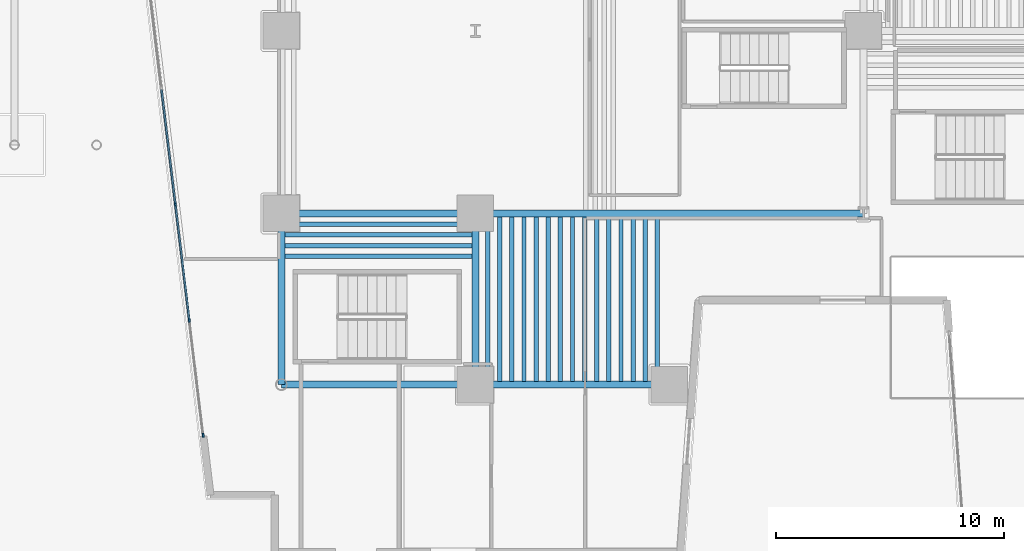
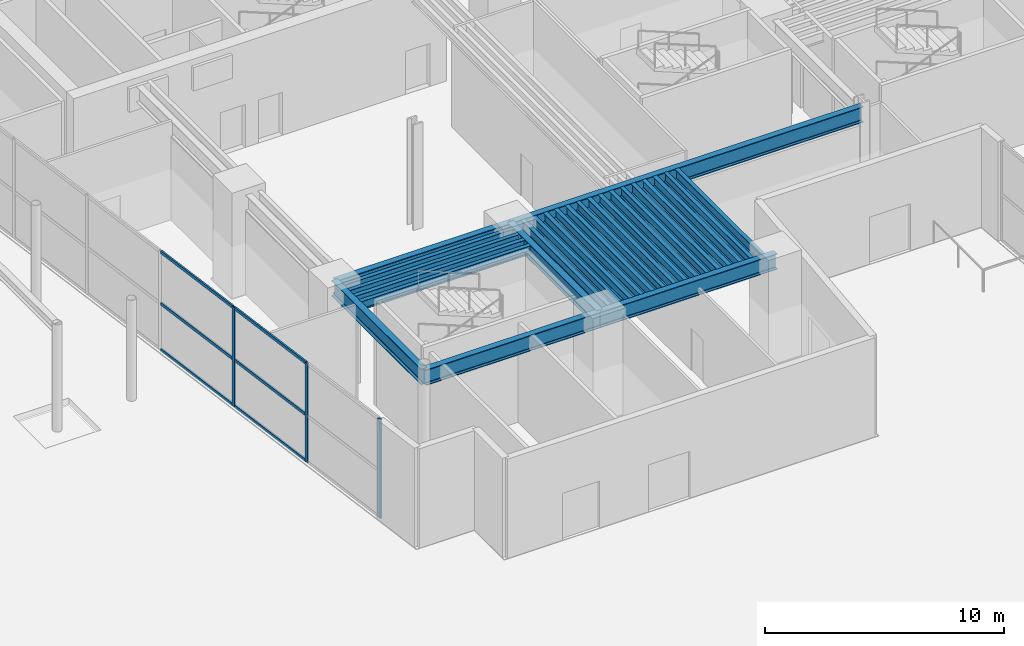
# One storey, part 3 of 18: 25 beams, 9 members, 1 element without a shape of its own.
"""IFC4 building model written with IfcOpenShell, lengths in metres."""

from ifc_helpers import new_model, si_unit, direction, frame, origin, origin_2d, place, context, subcontext, project, spatial, rectangle, i_section, extrude, material, layer, layer_set, material_profile, profile_set, type_object, element, aggregate, save


model = new_model("IFC4")

# Units and contexts
model_context = context("Model", 3, precision=1e-05, world=origin(), true_north=direction((0.0, 1.0)))
body_context = subcontext(model_context, "Body", "Model", "MODEL_VIEW")
ifc_project = project(units=[si_unit("LENGTHUNIT", "METRE"), si_unit("AREAUNIT", "SQUARE_METRE"), si_unit("VOLUMEUNIT", "CUBIC_METRE"), si_unit("PLANEANGLEUNIT", "RADIAN"), si_unit("MASSUNIT", "GRAM", prefix="KILO")], contexts=[model_context])

# Site, building, storey
site_placement = place(None, origin())
site = spatial("IfcSite", under=ifc_project, at=site_placement, CompositionType="ELEMENT")
building_placement = place(site_placement, origin())
building = spatial("IfcBuilding", under=site, at=building_placement, Name="Caeloran Harvest Quay", CompositionType="ELEMENT")
storey_placement = place(building_placement, origin())
storey = spatial("IfcBuildingStorey", under=building, at=storey_placement, Name="L01", CompositionType="ELEMENT", Elevation=0.0)

# Beams
ifc_material_1 = material(Name="Steel S355J2", Category="steel")
ifc_material_profile_1 = material_profile(ifc_material_1, i_section(OverallWidth=0.300048828125, OverallDepth=0.800048828125, WebThickness=0.017578125, FlangeThickness=0.032958984375, FilletRadius=0.030029296875, at=origin_2d()), Name="HE 800 B")
ifc_profile_set_1 = profile_set([ifc_material_profile_1], Name="Steel S355J2")
beam_type_1 = type_object("IfcBeamType", Name="BM-PG-1-HE_800_B", PredefinedType="BEAM", material=ifc_profile_set_1)
for number, where, z_axis, x_axis, name in (
    (1, (8.5, 7.5, 4.679931640625), (1.0, 0.0, 0.0), (0.0, 1.0, 0.0), "L01 Primary East-West Girder Y=7.5"),
    (2, (17.0, 7.5, 4.679931640625), (1.0, 0.0, 0.0), (0.0, 1.0, 0.0), "L01 Primary East-West Girder Y=7.5"),
    (3, (8.5, 15.0, 4.679931640625), (1.0, 0.0, 0.0), (0.0, 1.0, 0.0), "L01 Primary East-West Girder Y=15.0"),
):
    element("IfcBeam", number, at=place(storey_placement, frame(where, z_axis=z_axis, x_axis=x_axis)), inside=storey, type_object=beam_type_1, Name=name, PredefinedType="BEAM", context=body_context, shape_type="SweptSolid", body=[
        extrude(i_section(OverallWidth=0.300048828125, OverallDepth=0.800048828125, WebThickness=0.017578125, FlangeThickness=0.032958984375, FilletRadius=0.030029296875, at=origin_2d()), origin(), (0.0, 0.0, 1.0), 8.5),
    ])
beam_placement = place(storey_placement, frame((17.0, 15.0, 4.679931640625), z_axis=(1.0, 0.0, 0.0), x_axis=(0.0, 1.0, 0.0)))
element("IfcBeam", 4, at=beam_placement, inside=storey, type_object=beam_type_1, Name="L01 Primary East-West Girder Y=15.0", PredefinedType="BEAM", context=body_context, shape_type="SweptSolid", body=[
    extrude(i_section(OverallWidth=0.300048828125, OverallDepth=0.800048828125, WebThickness=0.017578125, FlangeThickness=0.032958984375, FilletRadius=0.030029296875, at=origin_2d()), origin(), (0.0, 0.0, 1.0), 17.0),
])
for number, where, z_axis, x_axis, name in (
    (5, (8.5, 7.5, 4.679931640625), (0.0, 1.0, 0.0), (-1.0, 0.0, 0.0), "L01 Primary North-South Girder X=8.5"),
    (6, (17.0, 7.5, 4.679931640625), (0.0, 1.0, 0.0), (-1.0, 0.0, 0.0), "L01 Primary North-South Girder X=17.0"),
):
    element("IfcBeam", number, at=place(storey_placement, frame(where, z_axis=z_axis, x_axis=x_axis)), inside=storey, type_object=beam_type_1, Name=name, PredefinedType="BEAM", context=body_context, shape_type="SweptSolid", body=[
        extrude(i_section(OverallWidth=0.300048828125, OverallDepth=0.800048828125, WebThickness=0.017578125, FlangeThickness=0.032958984375, FilletRadius=0.030029296875, at=origin_2d()), origin(), (0.0, 0.0, 1.0), 7.5),
    ])
ifc_material_profile_2 = material_profile(ifc_material_1, i_section(OverallWidth=0.199951171875, OverallDepth=0.5, WebThickness=0.01025390625, FlangeThickness=0.01611328125, FilletRadius=0.02099609375, at=origin_2d()), Name="IPE 500")
ifc_profile_set_2 = profile_set([ifc_material_profile_2], Name="Steel S355J2")
beam_type_2 = type_object("IfcBeamType", Name="BM-SB-2-IPE_500", PredefinedType="JOIST", material=ifc_profile_set_2)
for number, where, z_axis, x_axis, name in (
    (7, (17.53125, 7.64501953125, 4.830078125), (0.0, 1.0, 0.0), (-1.0, 0.0, 0.0), "L01 Secondary Composite Joist"),
    (8, (18.59375, 7.64501953125, 4.830078125), (0.0, 1.0, 0.0), (-1.0, 0.0, 0.0), "L01 Secondary Composite Joist"),
    (9, (19.65625, 7.64501953125, 4.830078125), (0.0, 1.0, 0.0), (-1.0, 0.0, 0.0), "L01 Secondary Composite Joist"),
    (10, (20.71875, 7.64501953125, 4.830078125), (0.0, 1.0, 0.0), (-1.0, 0.0, 0.0), "L01 Secondary Composite Joist"),
    (11, (21.78125, 7.64501953125, 4.830078125), (0.0, 1.0, 0.0), (-1.0, 0.0, 0.0), "L01 Secondary Composite Joist"),
    (12, (22.84375, 7.64501953125, 4.830078125), (0.0, 1.0, 0.0), (-1.0, 0.0, 0.0), "L01 Secondary Composite Joist"),
    (13, (23.90625, 7.64501953125, 4.830078125), (0.0, 1.0, 0.0), (-1.0, 0.0, 0.0), "L01 Secondary Composite Joist"),
    (14, (24.96875, 7.64501953125, 4.830078125), (0.0, 1.0, 0.0), (-1.0, 0.0, 0.0), "L01 Secondary Composite Joist"),
):
    element("IfcBeam", number, at=place(storey_placement, frame(where, z_axis=z_axis, x_axis=x_axis)), inside=storey, type_object=beam_type_2, Name=name, PredefinedType="JOIST", context=body_context, shape_type="SweptSolid", body=[
        extrude(i_section(OverallWidth=0.199951171875, OverallDepth=0.5, WebThickness=0.01025390625, FlangeThickness=0.01611328125, FilletRadius=0.02099609375, at=origin_2d()), origin(), (0.0, 0.0, 1.0), 7.2099609375),
    ])
for number, where, z_axis, x_axis, name in (
    (15, (8.64501953125, 13.59375, 4.830078125), (1.0, 0.0, 0.0), (0.0, 1.0, 0.0), "L01 Secondary East-West Composite Joist"),
    (16, (8.64501953125, 14.53125, 4.830078125), (1.0, 0.0, 0.0), (0.0, 1.0, 0.0), "L01 Secondary East-West Composite Joist"),
):
    element("IfcBeam", number, at=place(storey_placement, frame(where, z_axis=z_axis, x_axis=x_axis)), inside=storey, type_object=beam_type_2, Name=name, PredefinedType="JOIST", context=body_context, shape_type="SweptSolid", body=[
        extrude(i_section(OverallWidth=0.199951171875, OverallDepth=0.5, WebThickness=0.01025390625, FlangeThickness=0.01611328125, FilletRadius=0.02099609375, at=origin_2d()), origin(), (0.0, 0.0, 1.0), 8.2099609375),
    ])
ifc_material_profile_3 = material_profile(ifc_material_1, i_section(OverallWidth=0.18994140625, OverallDepth=0.449951171875, WebThickness=0.009521484375, FlangeThickness=0.0146484375, FilletRadius=0.02099609375, at=origin_2d()), Name="IPE 450")
ifc_profile_set_3 = profile_set([ifc_material_profile_3], Name="Steel S355J2")
beam_type_3 = type_object("IfcBeamType", Name="BM-SB-3-IPE_450", PredefinedType="JOIST", material=ifc_profile_set_3)
for number, where, z_axis, x_axis, name in (
    (17, (18.0625, 7.64501953125, 4.85498046875), (0.0, 1.0, 0.0), (-1.0, 0.0, 0.0), "L01 Secondary Composite Joist"),
    (18, (19.125, 7.64501953125, 4.85498046875), (0.0, 1.0, 0.0), (-1.0, 0.0, 0.0), "L01 Secondary Composite Joist"),
    (19, (20.1875, 7.64501953125, 4.85498046875), (0.0, 1.0, 0.0), (-1.0, 0.0, 0.0), "L01 Secondary Composite Joist"),
    (20, (21.25, 7.64501953125, 4.85498046875), (0.0, 1.0, 0.0), (-1.0, 0.0, 0.0), "L01 Secondary Composite Joist"),
    (21, (22.3125, 7.64501953125, 4.85498046875), (0.0, 1.0, 0.0), (-1.0, 0.0, 0.0), "L01 Secondary Composite Joist"),
    (22, (23.375, 7.64501953125, 4.85498046875), (0.0, 1.0, 0.0), (-1.0, 0.0, 0.0), "L01 Secondary Composite Joist"),
    (23, (24.4375, 7.64501953125, 4.85498046875), (0.0, 1.0, 0.0), (-1.0, 0.0, 0.0), "L01 Secondary Composite Joist"),
):
    element("IfcBeam", number, at=place(storey_placement, frame(where, z_axis=z_axis, x_axis=x_axis)), inside=storey, type_object=beam_type_3, Name=name, PredefinedType="JOIST", context=body_context, shape_type="SweptSolid", body=[
        extrude(i_section(OverallWidth=0.18994140625, OverallDepth=0.449951171875, WebThickness=0.009521484375, FlangeThickness=0.0146484375, FilletRadius=0.02099609375, at=origin_2d()), origin(), (0.0, 0.0, 1.0), 7.2099609375),
    ])
for number, where, z_axis, x_axis, name in (
    (24, (8.64501953125, 13.125, 4.85498046875), (1.0, 0.0, 0.0), (0.0, 1.0, 0.0), "L01 Secondary East-West Composite Joist"),
    (25, (8.64501953125, 14.0625, 4.85498046875), (1.0, 0.0, 0.0), (0.0, 1.0, 0.0), "L01 Secondary East-West Composite Joist"),
):
    element("IfcBeam", number, at=place(storey_placement, frame(where, z_axis=z_axis, x_axis=x_axis)), inside=storey, type_object=beam_type_3, Name=name, PredefinedType="JOIST", context=body_context, shape_type="SweptSolid", body=[
        extrude(i_section(OverallWidth=0.18994140625, OverallDepth=0.449951171875, WebThickness=0.009521484375, FlangeThickness=0.0146484375, FilletRadius=0.02099609375, at=origin_2d()), origin(), (0.0, 0.0, 1.0), 8.2099609375),
    ])

# Curtain wall, members
ifc_material_2 = material(Name="Aluminium 6063-T6 and Low-E Glazing", Category="aluminium")
ifc_layer = layer(ifc_material_2, 0.179931640625, Name="Aluminium 6063-T6 and Low-E Glazing")
ifc_layer_set = layer_set([ifc_layer], Name="Aluminium 6063-T6 and Low-E Glazing")
curtain_wall_type = type_object("IfcCurtainWallType", Name="CW-SYS-CW-1", PredefinedType="USERDEFINED", material=ifc_layer_set)
curtain_wall_placement = place(storey_placement, origin())
curtain_wall = element("IfcCurtainWall", 26, at=curtain_wall_placement, inside=storey, type_object=curtain_wall_type, Name="L01 Unitised Curtain Wall CW-1 Run 3", ObjectType="CURTAIN_WALL", PredefinedType="USERDEFINED")
ifc_material_3 = material(Name="Aluminium 6063-T6", Category="aluminium")
ifc_material_profile_4 = material_profile(ifc_material_3, rectangle(XDim=0.080078125, YDim=0.179931640625, at=origin_2d()), Name="CW-MULLION-180")
ifc_profile_set_4 = profile_set([ifc_material_profile_4], Name="Aluminium 6063-T6")
member_type_1 = type_object("IfcMemberType", Name="CW-MULLION-180", PredefinedType="MULLION", material=ifc_profile_set_4)
member_1_placement = place(storey_placement, frame((5.068603515625, 5.281005859375, 0.0), z_axis=(0.0, 0.0, 1.0), x_axis=(-0.992815161093, -0.119658079138, 0.0)))
member_1 = element("IfcMember", 27, at=member_1_placement, type_object=member_type_1, Name="CW-1 mullion 1", PredefinedType="MULLION", context=body_context, shape_type="SweptSolid", body=[
    extrude(rectangle(XDim=0.080078125, YDim=0.179931640625, at=origin_2d()), origin(), (0.0, 0.0, 1.0), 5.080078125),
])
member_2_placement = place(storey_placement, frame((4.4619140625, 10.315185546875, 0.0), z_axis=(0.0, 0.0, 1.0), x_axis=(-0.992815161093, -0.119658079138, 0.0)))
member_2 = element("IfcMember", 28, at=member_2_placement, type_object=member_type_1, Name="CW-1 mullion 2", PredefinedType="MULLION", context=body_context, shape_type="SweptSolid", body=[
    extrude(rectangle(XDim=0.080078125, YDim=0.179931640625, at=origin_2d()), origin(), (0.0, 0.0, 1.0), 5.080078125),
])
member_3_placement = place(storey_placement, frame((3.850341796875, 15.38916015625, 0.0), z_axis=(0.0, 0.0, 1.0), x_axis=(-0.992815161093, -0.119658079138, 0.0)))
member_3 = element("IfcMember", 29, at=member_3_placement, type_object=member_type_1, Name="CW-1 mullion 3", PredefinedType="MULLION", context=body_context, shape_type="SweptSolid", body=[
    extrude(rectangle(XDim=0.080078125, YDim=0.179931640625, at=origin_2d()), origin(), (0.0, 0.0, 1.0), 5.080078125),
])
ifc_material_profile_5 = material_profile(ifc_material_3, rectangle(XDim=0.080078125, YDim=0.14990234375, at=origin_2d()), Name="CW-TRANSOM-150")
ifc_profile_set_5 = profile_set([ifc_material_profile_5], Name="Aluminium 6063-T6")
member_type_2 = type_object("IfcMemberType", Name="CW-TRANSOM-150", PredefinedType="USERDEFINED", material=ifc_profile_set_5)
member_4_placement = place(storey_placement, frame((4.457275390625, 10.35498046875, 0.0400390625), z_axis=(-0.119679128444, 0.99281262392, 0.0), x_axis=(-0.99281262392, -0.119679128444, 0.0)))
member_4 = element("IfcMember", 30, at=member_4_placement, type_object=member_type_2, Name="CW-1 transom 2.1", ObjectType="TRANSOM", PredefinedType="USERDEFINED", context=body_context, shape_type="SweptSolid", body=[
    extrude(rectangle(XDim=0.080078125, YDim=0.14990234375, at=origin_2d()), origin(), (0.0, 0.0, 1.0), 5.030517578125),
])
member_5_placement = place(storey_placement, frame((4.457275390625, 10.35498046875, 2.39990234375), z_axis=(-0.119679128444, 0.99281262392, 0.0), x_axis=(-0.99281262392, -0.119679128444, 0.0)))
member_5 = element("IfcMember", 31, at=member_5_placement, type_object=member_type_2, Name="CW-1 transom 2.2", ObjectType="TRANSOM", PredefinedType="USERDEFINED", context=body_context, shape_type="SweptSolid", body=[
    extrude(rectangle(XDim=0.080078125, YDim=0.14990234375, at=origin_2d()), origin(), (0.0, 0.0, 1.0), 5.030517578125),
])
member_6_placement = place(storey_placement, frame((4.457275390625, 10.35498046875, 5.0400390625), z_axis=(-0.119679128444, 0.99281262392, 0.0), x_axis=(-0.99281262392, -0.119679128444, 0.0)))
member_6 = element("IfcMember", 32, at=member_6_placement, type_object=member_type_2, Name="CW-1 transom 2.3", ObjectType="TRANSOM", PredefinedType="USERDEFINED", context=body_context, shape_type="SweptSolid", body=[
    extrude(rectangle(XDim=0.080078125, YDim=0.14990234375, at=origin_2d()), origin(), (0.0, 0.0, 1.0), 5.030517578125),
])
member_7_placement = place(storey_placement, frame((3.845703125, 15.428955078125, 0.0400390625), z_axis=(-0.119679128444, 0.99281262392, 0.0), x_axis=(-0.99281262392, -0.119679128444, 0.0)))
member_7 = element("IfcMember", 33, at=member_7_placement, type_object=member_type_2, Name="CW-1 transom 3.1", ObjectType="TRANSOM", PredefinedType="USERDEFINED", context=body_context, shape_type="SweptSolid", body=[
    extrude(rectangle(XDim=0.080078125, YDim=0.14990234375, at=origin_2d()), origin(), (0.0, 0.0, 1.0), 5.030517578125),
])
member_8_placement = place(storey_placement, frame((3.845703125, 15.428955078125, 2.39990234375), z_axis=(-0.119679128444, 0.99281262392, 0.0), x_axis=(-0.99281262392, -0.119679128444, 0.0)))
member_8 = element("IfcMember", 34, at=member_8_placement, type_object=member_type_2, Name="CW-1 transom 3.2", ObjectType="TRANSOM", PredefinedType="USERDEFINED", context=body_context, shape_type="SweptSolid", body=[
    extrude(rectangle(XDim=0.080078125, YDim=0.14990234375, at=origin_2d()), origin(), (0.0, 0.0, 1.0), 5.030517578125),
])
member_9_placement = place(storey_placement, frame((3.845703125, 15.428955078125, 5.0400390625), z_axis=(-0.119679128444, 0.99281262392, 0.0), x_axis=(-0.99281262392, -0.119679128444, 0.0)))
member_9 = element("IfcMember", 35, at=member_9_placement, type_object=member_type_2, Name="CW-1 transom 3.3", ObjectType="TRANSOM", PredefinedType="USERDEFINED", context=body_context, shape_type="SweptSolid", body=[
    extrude(rectangle(XDim=0.080078125, YDim=0.14990234375, at=origin_2d()), origin(), (0.0, 0.0, 1.0), 5.030517578125),
])
aggregate(curtain_wall, [member_1, member_2, member_3, member_4, member_5, member_6, member_7, member_8, member_9])

save(model, "model.ifc")
